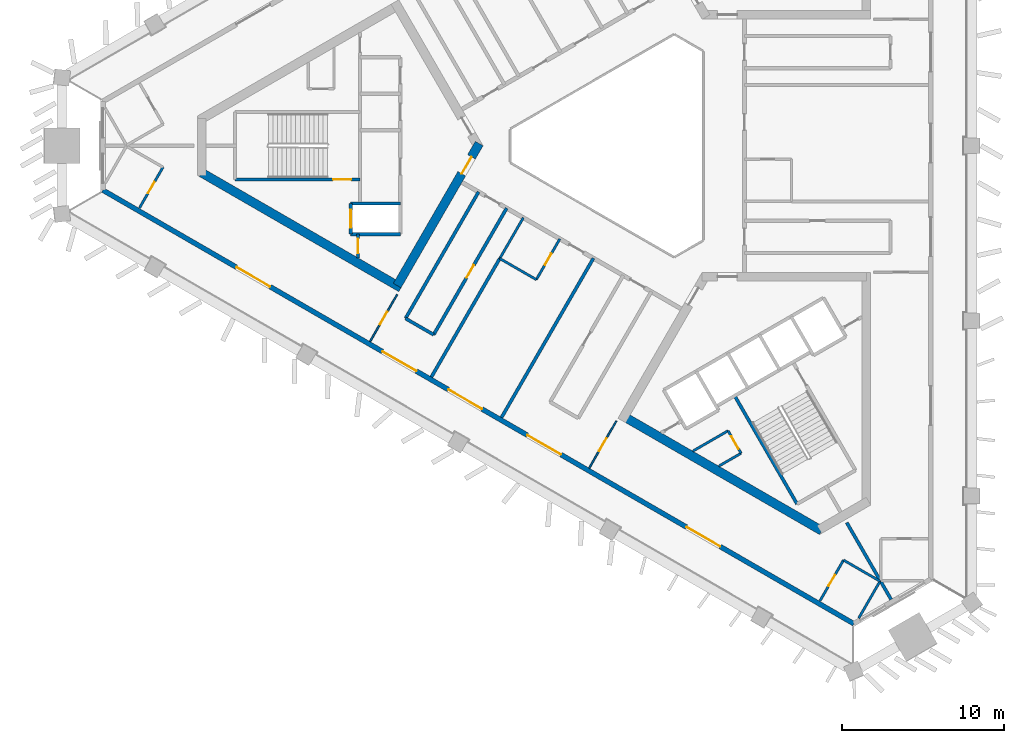
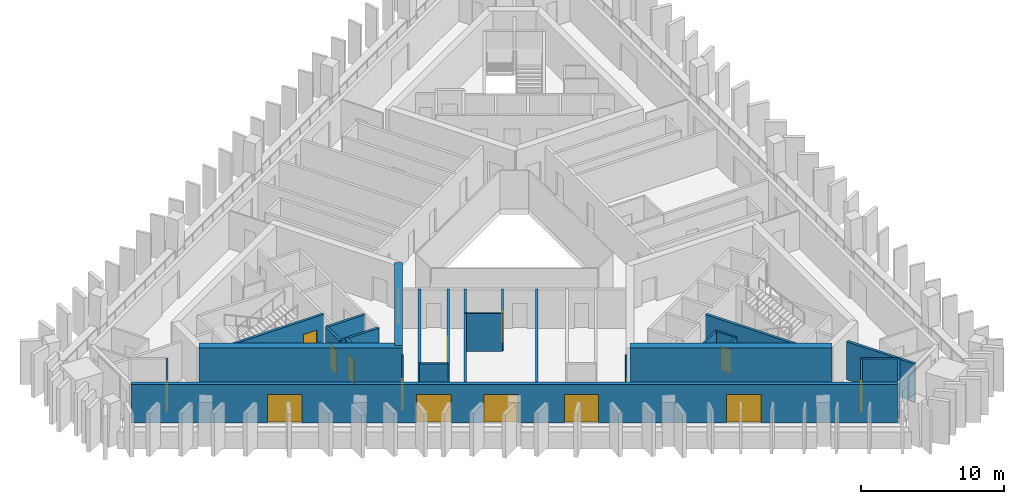
# One storey, part 2 of 10: 28 walls, 16 doors, 16 openings.
"""IFC4 building model written with IfcOpenShell, lengths in metres."""

from ifc_helpers import new_model, si_unit, direction, frame, frame_2d, origin, place, context, subcontext, project, spatial, rectangle, extrude, material, layer, layer_set, type_object, element, fill, save


model = new_model("IFC4")

# Units and contexts
model_context = context("Model", 3, precision=1e-05, world=origin(), true_north=direction((0.0, 1.0)))
body_context = subcontext(model_context, "Body", "Model", "MODEL_VIEW")
ifc_project = project(units=[si_unit("LENGTHUNIT", "METRE"), si_unit("AREAUNIT", "SQUARE_METRE"), si_unit("VOLUMEUNIT", "CUBIC_METRE"), si_unit("PLANEANGLEUNIT", "RADIAN"), si_unit("MASSUNIT", "GRAM", prefix="KILO")], contexts=[model_context])

# Site, building, storey
site_placement = place(None, origin())
site = spatial("IfcSite", under=ifc_project, at=site_placement, CompositionType="ELEMENT")
building_placement = place(site_placement, origin())
building = spatial("IfcBuilding", under=site, at=building_placement, Name="Jabali Bay Hotel Tower and Convention Centre", CompositionType="ELEMENT")
storey_placement = place(building_placement, frame((0.0, 0.0, 174.800048828125)))
storey = spatial("IfcBuildingStorey", under=building, at=storey_placement, Name="L42", CompositionType="ELEMENT", Elevation=174.800048828125)

# Wall, opening, door
ifc_material_1 = material(Name="Concrete C40", Category="concrete")
ifc_layer_1 = layer(ifc_material_1, 0.199951171875)
ifc_layer_set_1 = layer_set([ifc_layer_1], Name="Concrete C40")
wall_type_1 = type_object("IfcWallType", Name="Core partition wall 200", PredefinedType="PARTITIONING", material=ifc_layer_set_1)
wall_1_placement = place(storey_placement, frame((58.300048828125, 74.550048828125, 0.0), z_axis=(0.0, 0.0, 1.0), x_axis=(0.0, -1.0, 0.0)))
wall_1 = element("IfcWall", 1, at=wall_1_placement, inside=storey, type_object=wall_type_1, Name="Core wall 0.11 L42", PredefinedType="PARTITIONING", context=body_context, shape_type="SweptSolid", body=[
    extrude(rectangle(XDim=1.455078125, YDim=0.199951171875, at=frame_2d((0.7275390625, 0.0))), origin(), (0.0, 0.0, 1.0), 3.25),
])
opening_1_placement = place(wall_1_placement, frame((0.277587890625, 0.0, 0.0)))
opening_1 = element("IfcOpeningElement", 2, at=opening_1_placement, cuts=wall_1, Name="Opening D910", PredefinedType="OPENING", context=body_context, shape_type="SweptSolid", body=[
    extrude(rectangle(XDim=0.89990234375, YDim=2.10009765625, at=frame_2d((0.449951171875, 1.050048828125))), frame((0.0, 0.1103515625, 0.0), z_axis=(0.0, -1.0, 0.0), x_axis=(1.0, 0.0, 0.0)), (0.0, 0.0, 1.0), 0.220947265625),
])
ifc_material_2 = material(Name="Fire-rated steel door", Category="steel")
door_type_1 = type_object("IfcDoorType", Name="Vestibule fire door 900 x 2100", OperationType="NOTDEFINED", PredefinedType="NOTDEFINED", material=ifc_material_2)
door_1_placement = place(opening_1_placement, origin())
door_1 = element("IfcDoor", 3, at=door_1_placement, inside=storey, type_object=door_type_1, Name="Vestibule fire door D910", OperationType="SINGLE_SWING_LEFT", OverallHeight=2.10009765625, OverallWidth=0.89990234375, PredefinedType="NOTDEFINED", context=body_context, shape_type="SweptSolid", body=[
    extrude(rectangle(XDim=0.89990234375, YDim=2.10009765625, at=frame_2d((0.449951171875, 1.050048828125))), frame((0.0, 0.02490234375, 0.0), z_axis=(0.0, -1.0, 0.0), x_axis=(1.0, 0.0, 0.0)), (0.0, 0.0, 1.0), 0.050048828125),
])
fill(opening_1, door_1)

ifc_material_3 = material(Name="Fire-rated board partition")
ifc_layer_2 = layer(ifc_material_3, 0.14990234375)
ifc_layer_set_2 = layer_set([ifc_layer_2], Name="Fire-rated board partition")
wall_type_2 = type_object("IfcWallType", Name="Core room partition 150", PredefinedType="PARTITIONING", material=ifc_layer_set_2)
wall_2_placement = place(storey_placement, frame((81.093994140625, 62.445068359375, 0.0), z_axis=(0.0, 0.0, 1.0), x_axis=(0.499880961361, -0.866094119867, 0.0)))
wall_2 = element("IfcWall", 4, at=wall_2_placement, inside=storey, type_object=wall_type_2, Name="Core wall 2.1 L42", PredefinedType="PARTITIONING", context=body_context, shape_type="SweptSolid", body=[
    extrude(rectangle(XDim=1.60009765625, YDim=0.14990234375, at=frame_2d((0.800048828125, 0.0))), origin(), (0.0, 0.0, 1.0), 3.25),
])
opening_2_placement = place(wall_2_placement, frame((0.387451171875, 0.0, 0.0)))
opening_2 = element("IfcOpeningElement", 5, at=opening_2_placement, cuts=wall_2, Name="Opening D925", PredefinedType="OPENING", context=body_context, shape_type="SweptSolid", body=[
    extrude(rectangle(XDim=0.89990234375, YDim=2.10009765625, at=frame_2d((0.449951171875, 1.050048828125))), frame((0.0, 0.08544921875, 0.0), z_axis=(0.0, -1.0, 0.0), x_axis=(1.0, 0.0, 0.0)), (0.0, 0.0, 1.0), 0.1708984375),
])
door_type_2 = type_object("IfcDoorType", Name="Core room door 900 x 2100", OperationType="NOTDEFINED", PredefinedType="NOTDEFINED", material=ifc_material_2)
door_2_placement = place(opening_2_placement, origin())
door_2 = element("IfcDoor", 6, at=door_2_placement, inside=storey, type_object=door_type_2, Name="Core room door D925", OperationType="SINGLE_SWING_LEFT", OverallHeight=2.10009765625, OverallWidth=0.89990234375, PredefinedType="NOTDEFINED", context=body_context, shape_type="SweptSolid", body=[
    extrude(rectangle(XDim=0.89990234375, YDim=2.10009765625, at=frame_2d((0.449951171875, 1.050048828125))), frame((0.0, 0.02490234375, 0.0), z_axis=(0.0, -1.0, 0.0), x_axis=(1.0, 0.0, 0.0)), (0.0, 0.0, 1.0), 0.050048828125),
])
fill(opening_2, door_2)

# Walls
wall_3_placement = place(storey_placement, frame((78.919921875, 61.18994140625, 0.0), z_axis=(0.0, 0.0, 1.0), x_axis=(0.866038211682, 0.499977815414, 0.0)))
element("IfcWall", 7, at=wall_3_placement, inside=storey, type_object=wall_type_2, Name="Core wall 2.16 L42", PredefinedType="PARTITIONING", context=body_context, shape_type="SweptSolid", body=[
    extrude(rectangle(XDim=2.51025390625, YDim=0.14990234375, at=frame_2d((1.255126953125, 0.0))), origin(), (0.0, 0.0, 1.0), 3.25),
])
wall_4_placement = place(storey_placement, frame((80.52001953125, 60.26611328125, 0.0), z_axis=(0.0, 0.0, 1.0), x_axis=(0.866008740531, 0.500028860491, 0.0)))
element("IfcWall", 8, at=wall_4_placement, inside=storey, type_object=wall_type_2, Name="Core wall 2.17 L42", PredefinedType="PARTITIONING", context=body_context, shape_type="SweptSolid", body=[
    extrude(rectangle(XDim=1.58642578125, YDim=0.14990234375, at=frame_2d((0.793212890625, 0.0))), origin(), (0.0, 0.0, 1.0), 3.25),
])

# Wall, opening, door
ifc_layer_3 = layer(ifc_material_1, 0.199951171875)
ifc_layer_set_3 = layer_set([ifc_layer_3], Name="Concrete C40")
wall_type_3 = type_object("IfcWallType", Name="Core stair wall 200", PredefinedType="SOLIDWALL", material=ifc_layer_set_3)
wall_5_placement = place(storey_placement, frame((58.419921875, 77.925048828125, 0.0), z_axis=(0.0, 0.0, 1.0), x_axis=(-1.0, 0.0, 0.0)))
wall_5 = element("IfcWall", 9, at=wall_5_placement, inside=storey, type_object=wall_type_3, Name="Core wall 0.6 L42", PredefinedType="SOLIDWALL", context=body_context, shape_type="SweptSolid", body=[
    extrude(rectangle(XDim=7.699951171875, YDim=0.199951171875, at=frame_2d((3.85009765625, 0.0))), origin(), (0.0, 0.0, 1.0), 3.25),
])
opening_3_placement = place(wall_5_placement, frame((0.550048828125, 0.0, 0.0)))
opening_3 = element("IfcOpeningElement", 10, at=opening_3_placement, cuts=wall_5, Name="Opening D912", PredefinedType="OPENING", context=body_context, shape_type="SweptSolid", body=[
    extrude(rectangle(XDim=1.10009765625, YDim=2.10009765625, at=frame_2d((0.550048828125, 1.050048828125))), frame((0.0, 0.1103515625, 0.0), z_axis=(0.0, -1.0, 0.0), x_axis=(1.0, 0.0, 0.0)), (0.0, 0.0, 1.0), 0.220947265625),
])
door_type_3 = type_object("IfcDoorType", Name="Stair fire door 1100 x 2100", OperationType="NOTDEFINED", PredefinedType="NOTDEFINED", material=ifc_material_2)
door_3_placement = place(opening_3_placement, origin())
door_3 = element("IfcDoor", 11, at=door_3_placement, inside=storey, type_object=door_type_3, Name="Stair fire door D912", OperationType="SINGLE_SWING_RIGHT", OverallHeight=2.10009765625, OverallWidth=1.10009765625, PredefinedType="NOTDEFINED", context=body_context, shape_type="SweptSolid", body=[
    extrude(rectangle(XDim=1.10009765625, YDim=2.10009765625, at=frame_2d((0.550048828125, 1.050048828125))), frame((0.0, 0.02490234375, 0.0), z_axis=(0.0, -1.0, 0.0), x_axis=(1.0, 0.0, 0.0)), (0.0, 0.0, 1.0), 0.050048828125),
])
fill(opening_3, door_3)

# Walls
for number, where, z_axis, x_axis, name in (
    (12, (60.89990234375, 76.449951171875, 0.0), (0.0, 0.0, 1.0), (-1.0, 0.0, 0.0), "Core wall 0.7 L42"),
    (13, (60.89990234375, 74.550048828125, 0.0), (0.0, 0.0, 1.0), (-1.0, 0.0, 0.0), "Core wall 0.8 L42"),
):
    element("IfcWall", number, at=place(storey_placement, frame(where, z_axis=z_axis, x_axis=x_axis)), inside=storey, type_object=wall_type_3, Name=name, PredefinedType="SOLIDWALL", context=body_context, shape_type="SweptSolid", body=[
        extrude(rectangle(XDim=3.0498046875, YDim=0.199951171875, at=frame_2d((1.52490234375, 0.0))), origin(), (0.0, 0.0, 1.0), 3.25),
    ])

# Wall, opening, door
wall_6_placement = place(storey_placement, frame((57.85009765625, 76.449951171875, 0.0), z_axis=(0.0, 0.0, 1.0), x_axis=(0.0, -1.0, 0.0)))
wall_6 = element("IfcWall", 14, at=wall_6_placement, inside=storey, type_object=wall_type_3, Name="Core wall 0.12 L42", PredefinedType="SOLIDWALL", context=body_context, shape_type="SweptSolid", body=[
    extrude(rectangle(XDim=1.89990234375, YDim=0.199951171875, at=frame_2d((0.949951171875, 0.0))), origin(), (0.0, 0.0, 1.0), 3.25),
])
opening_4_placement = place(wall_6_placement, frame((0.39990234375, 0.0, 0.0)))
opening_4 = element("IfcOpeningElement", 15, at=opening_4_placement, cuts=wall_6, Name="Opening LD5-L42", PredefinedType="OPENING", context=body_context, shape_type="SweptSolid", body=[
    extrude(rectangle(XDim=1.10009765625, YDim=2.10009765625, at=frame_2d((0.550048828125, 1.050048828125))), frame((0.0, 0.1103515625, 0.0), z_axis=(0.0, -1.0, 0.0), x_axis=(1.0, 0.0, 0.0)), (0.0, 0.0, 1.0), 0.220947265625),
])
ifc_material_4 = material(Name="Stainless steel landing door", Category="steel")
door_type_4 = type_object("IfcDoorType", Name="Landing door 1100 x 2100", OperationType="NOTDEFINED", PredefinedType="NOTDEFINED", material=ifc_material_4)
door_4_placement = place(opening_4_placement, origin())
door_4 = element("IfcDoor", 16, at=door_4_placement, inside=storey, type_object=door_type_4, Name="Landing doors LD5-L42", OperationType="SLIDING_TO_RIGHT", OverallHeight=2.10009765625, OverallWidth=1.10009765625, PredefinedType="NOTDEFINED", context=body_context, shape_type="SweptSolid", body=[
    extrude(rectangle(XDim=1.10009765625, YDim=2.10009765625, at=frame_2d((0.550048828125, 1.050048828125))), frame((0.0, 0.02490234375, 0.0), z_axis=(0.0, -1.0, 0.0), x_axis=(1.0, 0.0, 0.0)), (0.0, 0.0, 1.0), 0.050048828125),
])
fill(opening_4, door_4)

# Walls
wall_7_placement = place(storey_placement, frame((81.492919921875, 64.603759765625, 0.0), z_axis=(0.0, 0.0, 1.0), x_axis=(0.500006057782, -0.866021906294, 0.0)))
element("IfcWall", 17, at=wall_7_placement, inside=storey, type_object=wall_type_3, Name="Core wall 2.3 L42", PredefinedType="SOLIDWALL", context=body_context, shape_type="SweptSolid", body=[
    extrude(rectangle(XDim=7.7001953125, YDim=0.199951171875, at=frame_2d((3.85009765625, 0.0))), origin(), (0.0, 0.0, 1.0), 3.25),
])
ifc_material_5 = material(Name="Concrete C60", Category="concrete")
ifc_layer_4 = layer(ifc_material_5, 0.550048828125)
ifc_layer_set_4 = layer_set([ifc_layer_4], Name="Concrete C60")
wall_type_4 = type_object("IfcWallType", Name="Core wall 550", PredefinedType="SHEAR", material=ifc_layer_set_4)
wall_8_placement = place(storey_placement, frame((48.671875, 78.336181640625, 0.0), z_axis=(0.0, 0.0, 1.0), x_axis=(0.866023530946, -0.500003243837, 0.0)))
element("IfcWall", 18, at=wall_8_placement, inside=storey, type_object=wall_type_4, Name="Core wall 1.4 L42", PredefinedType="SHEAR", context=body_context, shape_type="SweptSolid", body=[
    extrude(rectangle(XDim=14.1748046875, YDim=0.550048828125, at=frame_2d((7.08740234375, 0.0))), origin(), (0.0, 0.0, 1.0), 3.699951171875),
])

# Wall, opening, door
wall_9_placement = place(storey_placement, frame((60.709228515625, 71.38623046875, 0.0), z_axis=(0.0, 0.0, 1.0), x_axis=(0.500015938302, 0.866016201606, 0.0)))
wall_9 = element("IfcWall", 19, at=wall_9_placement, inside=storey, type_object=wall_type_4, Name="Core wall 1.5 L42", PredefinedType="SHEAR", context=body_context, shape_type="SweptSolid", body=[
    extrude(rectangle(XDim=10.105224609375, YDim=0.550048828125, at=frame_2d((5.052734375, 0.0))), origin(), (0.0, 0.0, 1.0), 3.699951171875),
])
opening_5_placement = place(wall_9_placement, frame((7.955078125, 0.0, 0.0)))
opening_5 = element("IfcOpeningElement", 20, at=opening_5_placement, cuts=wall_9, Name="Opening D906", PredefinedType="OPENING", context=body_context, shape_type="SweptSolid", body=[
    extrude(rectangle(XDim=1.199951171875, YDim=2.10009765625, at=frame_2d((0.60009765625, 1.050048828125))), frame((0.0, 0.28564453125, 0.0), z_axis=(0.0, -1.0, 0.0), x_axis=(1.0, 0.0, 0.0)), (0.0, 0.0, 1.0), 0.571044921875),
])
door_type_5 = type_object("IfcDoorType", Name="Corridor end fire door 1200 x 2100", OperationType="NOTDEFINED", PredefinedType="NOTDEFINED", material=ifc_material_2)
door_5_placement = place(opening_5_placement, origin())
door_5 = element("IfcDoor", 21, at=door_5_placement, inside=storey, type_object=door_type_5, Name="Corridor end fire door D906", OperationType="SINGLE_SWING_LEFT", OverallHeight=2.10009765625, OverallWidth=1.199951171875, PredefinedType="NOTDEFINED", context=body_context, shape_type="SweptSolid", body=[
    extrude(rectangle(XDim=1.199951171875, YDim=2.10009765625, at=frame_2d((0.60009765625, 1.050048828125))), frame((0.0, 0.02490234375, 0.0), z_axis=(0.0, -1.0, 0.0), x_axis=(1.0, 0.0, 0.0)), (0.0, 0.0, 1.0), 0.050048828125),
])
fill(opening_5, door_5)

# Wall
wall_10_placement = place(storey_placement, frame((74.685546875, 63.317138671875, 0.0), z_axis=(0.0, 0.0, 1.0), x_axis=(0.866024505738, -0.500001555459, 0.0)))
element("IfcWall", 22, at=wall_10_placement, inside=storey, type_object=wall_type_4, Name="Core wall 3.2 L42", PredefinedType="SHEAR", context=body_context, shape_type="SweptSolid", body=[
    extrude(rectangle(XDim=14.05859375, YDim=0.550048828125, at=frame_2d((7.029296875, 0.0))), origin(), (0.0, 0.0, 1.0), 3.699951171875),
])

# Wall, openings, doors
ifc_layer_5 = layer(ifc_material_1, 0.300048828125)
ifc_layer_set_5 = layer_set([ifc_layer_5], Name="Concrete C40")
wall_type_5 = type_object("IfcWallType", Name="External wall 300", PredefinedType="SOLIDWALL", material=ifc_layer_set_5)
wall_11_placement = place(storey_placement, frame((88.843505859375, 50.55712890625, 0.0), z_axis=(0.0, 0.0, 1.0), x_axis=(-0.866025382531, 0.500000036812, 0.0)))
wall_11 = element("IfcWall", 23, at=wall_11_placement, inside=storey, type_object=wall_type_5, Name="External wall south-west face L42", PredefinedType="SOLIDWALL", context=body_context, shape_type="SweptSolid", body=[
    extrude(rectangle(XDim=53.42041015625, YDim=0.300048828125, at=frame_2d((26.710205078125, 0.0))), origin(), (0.0, 0.0, 1.0), 3.25),
])
opening_6_placement = place(wall_11_placement, frame((31.1220703125, 0.0, 0.0)))
opening_6 = element("IfcOpeningElement", 24, at=opening_6_placement, cuts=wall_11, Name="Opening SD1", PredefinedType="OPENING", context=body_context, shape_type="SweptSolid", body=[
    extrude(rectangle(XDim=2.39990234375, YDim=2.39990234375, at=frame_2d((1.199951171875, 1.199951171875))), frame((0.0, 0.16064453125, 0.0), z_axis=(0.0, -1.0, 0.0), x_axis=(1.0, 0.0, 0.0)), (0.0, 0.0, 1.0), 0.321044921875),
])
opening_7_placement = place(wall_11_placement, frame((41.51953125, 0.0, 0.0)))
opening_7 = element("IfcOpeningElement", 25, at=opening_7_placement, cuts=wall_11, Name="Opening SD1", PredefinedType="OPENING", context=body_context, shape_type="SweptSolid", body=[
    extrude(rectangle(XDim=2.39990234375, YDim=2.39990234375, at=frame_2d((1.199951171875, 1.199951171875))), frame((0.0, 0.16064453125, 0.0), z_axis=(0.0, -1.0, 0.0), x_axis=(1.0, 0.0, 0.0)), (0.0, 0.0, 1.0), 0.321044921875),
])
opening_8_placement = place(wall_11_placement, frame((20.833740234375, 0.0, 0.0)))
opening_8 = element("IfcOpeningElement", 26, at=opening_8_placement, cuts=wall_11, Name="Opening SD1", PredefinedType="OPENING", context=body_context, shape_type="SweptSolid", body=[
    extrude(rectangle(XDim=2.39990234375, YDim=2.39990234375, at=frame_2d((1.199951171875, 1.199951171875))), frame((0.0, 0.16064453125, 0.0), z_axis=(0.0, -1.0, 0.0), x_axis=(1.0, 0.0, 0.0)), (0.0, 0.0, 1.0), 0.321044921875),
])
opening_9_placement = place(wall_11_placement, frame((9.507080078125, 0.0, 0.0)))
opening_9 = element("IfcOpeningElement", 27, at=opening_9_placement, cuts=wall_11, Name="Opening SD1", PredefinedType="OPENING", context=body_context, shape_type="SweptSolid", body=[
    extrude(rectangle(XDim=2.39990234375, YDim=2.39990234375, at=frame_2d((1.199951171875, 1.199951171875))), frame((0.0, 0.16064453125, 0.0), z_axis=(0.0, -1.0, 0.0), x_axis=(1.0, 0.0, 0.0)), (0.0, 0.0, 1.0), 0.321044921875),
])
opening_10_placement = place(wall_11_placement, frame((26.445556640625, 0.0, 0.0)))
opening_10 = element("IfcOpeningElement", 28, at=opening_10_placement, cuts=wall_11, Name="Opening SD1", PredefinedType="OPENING", context=body_context, shape_type="SweptSolid", body=[
    extrude(rectangle(XDim=2.39990234375, YDim=2.39990234375, at=frame_2d((1.199951171875, 1.199951171875))), frame((0.0, 0.16064453125, 0.0), z_axis=(0.0, -1.0, 0.0), x_axis=(1.0, 0.0, 0.0)), (0.0, 0.0, 1.0), 0.321044921875),
])
ifc_material_6 = material(Name="Glass", Category="glass")
door_type_6 = type_object("IfcDoorType", Name="Loggia sliding door 2400 x 2400", OperationType="NOTDEFINED", PredefinedType="NOTDEFINED", material=ifc_material_6)
door_6_placement = place(opening_6_placement, origin())
door_6 = element("IfcDoor", 29, at=door_6_placement, inside=storey, type_object=door_type_6, Name="Loggia sliding door 4212", OperationType="SLIDING_TO_LEFT", OverallHeight=2.39990234375, OverallWidth=2.39990234375, PredefinedType="NOTDEFINED", context=body_context, shape_type="SweptSolid", body=[
    extrude(rectangle(XDim=2.39990234375, YDim=2.39990234375, at=frame_2d((1.199951171875, 1.199951171875))), frame((0.0, 0.02490234375, 0.0), z_axis=(0.0, -1.0, 0.0), x_axis=(1.0, 0.0, 0.0)), (0.0, 0.0, 1.0), 0.050048828125),
])
fill(opening_6, door_6)
door_7_placement = place(opening_7_placement, origin())
door_7 = element("IfcDoor", 30, at=door_7_placement, inside=storey, type_object=door_type_6, Name="Loggia sliding door 4212", OperationType="SLIDING_TO_RIGHT", OverallHeight=2.39990234375, OverallWidth=2.39990234375, PredefinedType="NOTDEFINED", context=body_context, shape_type="SweptSolid", body=[
    extrude(rectangle(XDim=2.39990234375, YDim=2.39990234375, at=frame_2d((1.199951171875, 1.199951171875))), frame((0.0, 0.02490234375, 0.0), z_axis=(0.0, -1.0, 0.0), x_axis=(1.0, 0.0, 0.0)), (0.0, 0.0, 1.0), 0.050048828125),
])
fill(opening_7, door_7)
door_8_placement = place(opening_8_placement, origin())
door_8 = element("IfcDoor", 31, at=door_8_placement, inside=storey, type_object=door_type_6, Name="Loggia sliding door 4215", OperationType="SLIDING_TO_LEFT", OverallHeight=2.39990234375, OverallWidth=2.39990234375, PredefinedType="NOTDEFINED", context=body_context, shape_type="SweptSolid", body=[
    extrude(rectangle(XDim=2.39990234375, YDim=2.39990234375, at=frame_2d((1.199951171875, 1.199951171875))), frame((0.0, 0.02490234375, 0.0), z_axis=(0.0, -1.0, 0.0), x_axis=(1.0, 0.0, 0.0)), (0.0, 0.0, 1.0), 0.050048828125),
])
fill(opening_8, door_8)
door_9_placement = place(opening_9_placement, origin())
door_9 = element("IfcDoor", 32, at=door_9_placement, inside=storey, type_object=door_type_6, Name="Loggia sliding door 4215", OperationType="SLIDING_TO_RIGHT", OverallHeight=2.39990234375, OverallWidth=2.39990234375, PredefinedType="NOTDEFINED", context=body_context, shape_type="SweptSolid", body=[
    extrude(rectangle(XDim=2.39990234375, YDim=2.39990234375, at=frame_2d((1.199951171875, 1.199951171875))), frame((0.0, 0.02490234375, 0.0), z_axis=(0.0, -1.0, 0.0), x_axis=(1.0, 0.0, 0.0)), (0.0, 0.0, 1.0), 0.050048828125),
])
fill(opening_9, door_9)
door_10_placement = place(opening_10_placement, origin())
door_10 = element("IfcDoor", 33, at=door_10_placement, inside=storey, type_object=door_type_6, Name="Loggia sliding door 4214", OperationType="SLIDING_TO_LEFT", OverallHeight=2.39990234375, OverallWidth=2.39990234375, PredefinedType="NOTDEFINED", context=body_context, shape_type="SweptSolid", body=[
    extrude(rectangle(XDim=2.39990234375, YDim=2.39990234375, at=frame_2d((1.199951171875, 1.199951171875))), frame((0.0, 0.02490234375, 0.0), z_axis=(0.0, -1.0, 0.0), x_axis=(1.0, 0.0, 0.0)), (0.0, 0.0, 1.0), 0.050048828125),
])
fill(opening_10, door_10)

# Wall, opening, door
ifc_material_7 = material(Name="Plasterboard on steel stud", Category="steel")
ifc_layer_6 = layer(ifc_material_7, 0.10009765625)
ifc_layer_set_6 = layer_set([ifc_layer_6], Name="Plasterboard on steel stud")
wall_type_6 = type_object("IfcWallType", Name="Partition 100 unit", PredefinedType="PARTITIONING", material=ifc_layer_set_6)
wall_12_placement = place(storey_placement, frame((60.71044921875, 70.83837890625, 0.0), z_axis=(0.0, 0.0, 1.0), x_axis=(-0.499981198768, -0.866036258409, 0.0)))
wall_12 = element("IfcWall", 34, at=wall_12_placement, inside=storey, type_object=wall_type_6, Name="Partition P02 L42 040", PredefinedType="PARTITIONING", context=body_context, shape_type="SweptSolid", body=[
    extrude(rectangle(XDim=3.348876953125, YDim=0.10009765625, at=frame_2d((1.67431640625, 0.0))), origin(), (0.0, 0.0, 1.0), 3.25),
])
opening_11_placement = place(wall_12_placement, frame((1.22412109375, 0.0, 0.0)))
opening_11 = element("IfcOpeningElement", 35, at=opening_11_placement, cuts=wall_12, Name="Opening 4222", PredefinedType="OPENING", context=body_context, shape_type="SweptSolid", body=[
    extrude(rectangle(XDim=0.89990234375, YDim=2.10009765625, at=frame_2d((0.449951171875, 1.050048828125))), frame((0.0, 0.060546875, 0.0), z_axis=(0.0, -1.0, 0.0), x_axis=(1.0, 0.0, 0.0)), (0.0, 0.0, 1.0), 0.12109375),
])
ifc_material_8 = material(Name="Timber", Category="wood")
door_type_7 = type_object("IfcDoorType", Name="Internal door 900 x 2100", OperationType="NOTDEFINED", PredefinedType="NOTDEFINED", material=ifc_material_8)
door_11_placement = place(opening_11_placement, origin())
door_11 = element("IfcDoor", 36, at=door_11_placement, inside=storey, type_object=door_type_7, Name="Door 4222", OperationType="SINGLE_SWING_LEFT", OverallHeight=2.10009765625, OverallWidth=0.89990234375, PredefinedType="NOTDEFINED", context=body_context, shape_type="SweptSolid", body=[
    extrude(rectangle(XDim=0.89990234375, YDim=2.10009765625, at=frame_2d((0.449951171875, 1.050048828125))), frame((0.0, 0.02490234375, 0.0), z_axis=(0.0, -1.0, 0.0), x_axis=(1.0, 0.0, 0.0)), (0.0, 0.0, 1.0), 0.050048828125),
])
fill(opening_11, door_11)

wall_13_placement = place(storey_placement, frame((72.5361328125, 60.14404296875, 0.0), z_axis=(0.0, 0.0, 1.0), x_axis=(0.499981198768, 0.866036258409, 0.0)))
wall_13 = element("IfcWall", 37, at=wall_13_placement, inside=storey, type_object=wall_type_6, Name="Partition P02 L42 052", PredefinedType="PARTITIONING", context=body_context, shape_type="SweptSolid", body=[
    extrude(rectangle(XDim=3.348876953125, YDim=0.10009765625, at=frame_2d((1.67431640625, 0.0))), origin(), (0.0, 0.0, 1.0), 3.25),
])
opening_12_placement = place(wall_13_placement, frame((1.22412109375, 0.0, 0.0)))
opening_12 = element("IfcOpeningElement", 38, at=opening_12_placement, cuts=wall_13, Name="Opening 4228", PredefinedType="OPENING", context=body_context, shape_type="SweptSolid", body=[
    extrude(rectangle(XDim=0.89990234375, YDim=2.10009765625, at=frame_2d((0.449951171875, 1.050048828125))), frame((0.0, 0.060546875, 0.0), z_axis=(0.0, -1.0, 0.0), x_axis=(1.0, 0.0, 0.0)), (0.0, 0.0, 1.0), 0.12109375),
])
door_12_placement = place(opening_12_placement, origin())
door_12 = element("IfcDoor", 39, at=door_12_placement, inside=storey, type_object=door_type_7, Name="Door 4228", OperationType="SINGLE_SWING_LEFT", OverallHeight=2.10009765625, OverallWidth=0.89990234375, PredefinedType="NOTDEFINED", context=body_context, shape_type="SweptSolid", body=[
    extrude(rectangle(XDim=0.89990234375, YDim=2.10009765625, at=frame_2d((0.449951171875, 1.050048828125))), frame((0.0, 0.02490234375, 0.0), z_axis=(0.0, -1.0, 0.0), x_axis=(1.0, 0.0, 0.0)), (0.0, 0.0, 1.0), 0.050048828125),
])
fill(opening_12, door_12)

# Wall
ifc_layer_7 = layer(ifc_material_7, 0.14990234375)
ifc_layer_set_7 = layer_set([ifc_layer_7], Name="Plasterboard on steel stud")
wall_type_7 = type_object("IfcWallType", Name="Partition 150 wet", PredefinedType="PARTITIONING", material=ifc_layer_set_7)
wall_14_placement = place(storey_placement, frame((67.030029296875, 73.054443359375, 0.0), z_axis=(0.0, 0.0, 1.0), x_axis=(0.499987231761, 0.866032775405, 0.0)))
element("IfcWall", 40, at=wall_14_placement, inside=storey, type_object=wall_type_7, Name="Partition P03 L42 045", PredefinedType="PARTITIONING", context=body_context, shape_type="SweptSolid", body=[
    extrude(rectangle(XDim=2.89990234375, YDim=0.14990234375, at=frame_2d((1.449951171875, 0.0))), origin(), (0.0, 0.0, 1.0), 3.25),
])

# Wall, opening, door
wall_15_placement = place(storey_placement, frame((46.285888671875, 78.678466796875, 0.0), z_axis=(0.0, 0.0, 1.0), x_axis=(-0.50005036918, -0.865996321171, 0.0)))
wall_15 = element("IfcWall", 41, at=wall_15_placement, inside=storey, type_object=wall_type_7, Name="Partition P03 L42 048", PredefinedType="PARTITIONING", context=body_context, shape_type="SweptSolid", body=[
    extrude(rectangle(XDim=2.900146484375, YDim=0.14990234375, at=frame_2d((1.4501953125, 0.0))), origin(), (0.0, 0.0, 1.0), 3.25),
])
opening_13_placement = place(wall_15_placement, frame((1.050048828125, 0.0, 0.0)))
opening_13 = element("IfcOpeningElement", 42, at=opening_13_placement, cuts=wall_15, Name="Opening 4223", PredefinedType="OPENING", context=body_context, shape_type="SweptSolid", body=[
    extrude(rectangle(XDim=0.800048828125, YDim=2.10009765625, at=frame_2d((0.39990234375, 1.050048828125))), frame((0.0, 0.08544921875, 0.0), z_axis=(0.0, -1.0, 0.0), x_axis=(1.0, 0.0, 0.0)), (0.0, 0.0, 1.0), 0.1708984375),
])
door_type_8 = type_object("IfcDoorType", Name="En-suite door 800 x 2100", OperationType="NOTDEFINED", PredefinedType="NOTDEFINED", material=ifc_material_8)
door_13_placement = place(opening_13_placement, origin())
door_13 = element("IfcDoor", 43, at=door_13_placement, inside=storey, type_object=door_type_8, Name="Door 4223", OperationType="SINGLE_SWING_RIGHT", OverallHeight=2.10009765625, OverallWidth=0.800048828125, PredefinedType="NOTDEFINED", context=body_context, shape_type="SweptSolid", body=[
    extrude(rectangle(XDim=0.800048828125, YDim=2.10009765625, at=frame_2d((0.39990234375, 1.050048828125))), frame((0.0, 0.02490234375, 0.0), z_axis=(0.0, -1.0, 0.0), x_axis=(1.0, 0.0, 0.0)), (0.0, 0.0, 1.0), 0.050048828125),
])
fill(opening_13, door_13)

wall_16_placement = place(storey_placement, frame((70.731689453125, 74.265869140625, 0.0), z_axis=(0.0, 0.0, 1.0), x_axis=(-0.499987231761, -0.866032775405, 0.0)))
wall_16 = element("IfcWall", 44, at=wall_16_placement, inside=storey, type_object=wall_type_7, Name="Partition P03 L42 049", PredefinedType="PARTITIONING", context=body_context, shape_type="SweptSolid", body=[
    extrude(rectangle(XDim=2.89990234375, YDim=0.14990234375, at=frame_2d((1.449951171875, 0.0))), origin(), (0.0, 0.0, 1.0), 3.25),
])
opening_14_placement = place(wall_16_placement, frame((1.050048828125, 0.0, 0.0)))
opening_14 = element("IfcOpeningElement", 45, at=opening_14_placement, cuts=wall_16, Name="Opening 4225", PredefinedType="OPENING", context=body_context, shape_type="SweptSolid", body=[
    extrude(rectangle(XDim=0.800048828125, YDim=2.10009765625, at=frame_2d((0.39990234375, 1.050048828125))), frame((0.0, 0.08544921875, 0.0), z_axis=(0.0, -1.0, 0.0), x_axis=(1.0, 0.0, 0.0)), (0.0, 0.0, 1.0), 0.1708984375),
])
door_14_placement = place(opening_14_placement, origin())
door_14 = element("IfcDoor", 46, at=door_14_placement, inside=storey, type_object=door_type_8, Name="Door 4225", OperationType="SINGLE_SWING_LEFT", OverallHeight=2.10009765625, OverallWidth=0.800048828125, PredefinedType="NOTDEFINED", context=body_context, shape_type="SweptSolid", body=[
    extrude(rectangle(XDim=0.800048828125, YDim=2.10009765625, at=frame_2d((0.39990234375, 1.050048828125))), frame((0.0, 0.02490234375, 0.0), z_axis=(0.0, -1.0, 0.0), x_axis=(1.0, 0.0, 0.0)), (0.0, 0.0, 1.0), 0.050048828125),
])
fill(opening_14, door_14)

# Wall
wall_17_placement = place(storey_placement, frame((69.28173828125, 71.75439453125, 0.0), z_axis=(0.0, 0.0, 1.0), x_axis=(-0.866021400173, 0.500006934395, 0.0)))
element("IfcWall", 47, at=wall_17_placement, inside=storey, type_object=wall_type_7, Name="Partition P03 L42 050", PredefinedType="PARTITIONING", context=body_context, shape_type="SweptSolid", body=[
    extrude(rectangle(XDim=2.60009765625, YDim=0.14990234375, at=frame_2d((1.300048828125, 0.0))), origin(), (0.0, 0.0, 1.0), 3.25),
])

# Wall, opening, door
wall_18_placement = place(storey_placement, frame((86.751953125, 51.966796875, 0.0), z_axis=(0.0, 0.0, 1.0), x_axis=(0.50005036918, 0.865996321171, 0.0)))
wall_18 = element("IfcWall", 48, at=wall_18_placement, inside=storey, type_object=wall_type_7, Name="Partition P03 L42 056", PredefinedType="PARTITIONING", context=body_context, shape_type="SweptSolid", body=[
    extrude(rectangle(XDim=2.900146484375, YDim=0.14990234375, at=frame_2d((1.4501953125, 0.0))), origin(), (0.0, 0.0, 1.0), 3.25),
])
opening_15_placement = place(wall_18_placement, frame((1.050048828125, 0.0, 0.0)))
opening_15 = element("IfcOpeningElement", 49, at=opening_15_placement, cuts=wall_18, Name="Opening 4229", PredefinedType="OPENING", context=body_context, shape_type="SweptSolid", body=[
    extrude(rectangle(XDim=0.800048828125, YDim=2.10009765625, at=frame_2d((0.39990234375, 1.050048828125))), frame((0.0, 0.08544921875, 0.0), z_axis=(0.0, -1.0, 0.0), x_axis=(1.0, 0.0, 0.0)), (0.0, 0.0, 1.0), 0.1708984375),
])
door_15_placement = place(opening_15_placement, origin())
door_15 = element("IfcDoor", 50, at=door_15_placement, inside=storey, type_object=door_type_8, Name="Door 4229", OperationType="SINGLE_SWING_RIGHT", OverallHeight=2.10009765625, OverallWidth=0.800048828125, PredefinedType="NOTDEFINED", context=body_context, shape_type="SweptSolid", body=[
    extrude(rectangle(XDim=0.800048828125, YDim=2.10009765625, at=frame_2d((0.39990234375, 1.050048828125))), frame((0.0, 0.02490234375, 0.0), z_axis=(0.0, -1.0, 0.0), x_axis=(1.0, 0.0, 0.0)), (0.0, 0.0, 1.0), 0.050048828125),
])
fill(opening_15, door_15)

# Walls
wall_19_placement = place(storey_placement, frame((88.2021484375, 54.478271484375, 0.0), z_axis=(0.0, 0.0, 1.0), x_axis=(0.865997922154, -0.500047596559, 0.0)))
element("IfcWall", 51, at=wall_19_placement, inside=storey, type_object=wall_type_7, Name="Partition P03 L42 057", PredefinedType="PARTITIONING", context=body_context, shape_type="SweptSolid", body=[
    extrude(rectangle(XDim=2.599853515625, YDim=0.14990234375, at=frame_2d((1.2998046875, 0.0))), origin(), (0.0, 0.0, 1.0), 3.25),
])
wall_20_placement = place(storey_placement, frame((90.45361328125, 53.17822265625, 0.0), z_axis=(0.0, 0.0, 1.0), x_axis=(-0.499960702874, -0.866048090802, 0.0)))
element("IfcWall", 52, at=wall_20_placement, inside=storey, type_object=wall_type_7, Name="Partition P03 L42 058", PredefinedType="PARTITIONING", context=body_context, shape_type="SweptSolid", body=[
    extrude(rectangle(XDim=2.631591796875, YDim=0.14990234375, at=frame_2d((1.31591796875, 0.0))), origin(), (0.0, 0.0, 1.0), 3.25),
])
ifc_layer_8 = layer(ifc_material_7, 0.199951171875)
ifc_layer_set_8 = layer_set([ifc_layer_8], Name="Plasterboard on steel stud")
wall_type_8 = type_object("IfcWallType", Name="Partition 200 party", PredefinedType="PARTITIONING", material=ifc_layer_set_8)
wall_21_placement = place(storey_placement, frame((88.401123046875, 56.788818359375, 0.0), z_axis=(0.0, 0.0, 1.0), x_axis=(0.499980071345, -0.866036909293, 0.0)))
element("IfcWall", 53, at=wall_21_placement, inside=storey, type_object=wall_type_8, Name="Partition P01 L42 010", PredefinedType="PARTITIONING", context=body_context, shape_type="SweptSolid", body=[
    extrude(rectangle(XDim=5.468994140625, YDim=0.199951171875, at=frame_2d((2.734375, 0.0))), origin(), (0.0, 0.0, 1.0), 3.25),
])

# Wall, opening, door
wall_22_placement = place(storey_placement, frame((67.4560546875, 76.1572265625, 0.0), z_axis=(0.0, 0.0, 1.0), x_axis=(-0.499990139034, -0.866031096941, 0.0)))
wall_22 = element("IfcWall", 54, at=wall_22_placement, inside=storey, type_object=wall_type_8, Name="Partition P01 L42 041", PredefinedType="PARTITIONING", context=body_context, shape_type="SweptSolid", body=[
    extrude(rectangle(XDim=9.000244140625, YDim=0.199951171875, at=frame_2d((4.5, 0.0))), origin(), (0.0, 0.0, 1.0), 3.25),
])
opening_16_placement = place(wall_22_placement, frame((4.050048828125, 0.0, 0.0)))
opening_16 = element("IfcOpeningElement", 55, at=opening_16_placement, cuts=wall_22, Name="Opening 4224", PredefinedType="OPENING", context=body_context, shape_type="SweptSolid", body=[
    extrude(rectangle(XDim=0.89990234375, YDim=2.10009765625, at=frame_2d((0.449951171875, 1.050048828125))), frame((0.0, 0.1103515625, 0.0), z_axis=(0.0, -1.0, 0.0), x_axis=(1.0, 0.0, 0.0)), (0.0, 0.0, 1.0), 0.220947265625),
])
door_16_placement = place(opening_16_placement, origin())
door_16 = element("IfcDoor", 56, at=door_16_placement, inside=storey, type_object=door_type_7, Name="Door 4224", OperationType="SINGLE_SWING_LEFT", OverallHeight=2.10009765625, OverallWidth=0.89990234375, PredefinedType="NOTDEFINED", context=body_context, shape_type="SweptSolid", body=[
    extrude(rectangle(XDim=0.89990234375, YDim=2.10009765625, at=frame_2d((0.449951171875, 1.050048828125))), frame((0.0, 0.02490234375, 0.0), z_axis=(0.0, -1.0, 0.0), x_axis=(1.0, 0.0, 0.0)), (0.0, 0.0, 1.0), 0.050048828125),
])
fill(opening_16, door_16)

# Walls
wall_23_placement = place(storey_placement, frame((62.9560546875, 68.36279296875, 0.0), z_axis=(0.0, 0.0, 1.0), x_axis=(-0.866041268327, 0.499972520799, 0.0)))
element("IfcWall", 57, at=wall_23_placement, inside=storey, type_object=wall_type_8, Name="Partition P01 L42 042", PredefinedType="PARTITIONING", context=body_context, shape_type="SweptSolid", body=[
    extrude(rectangle(XDim=2.0, YDim=0.199951171875, at=frame_2d((1.0, 0.0))), origin(), (0.0, 0.0, 1.0), 3.25),
])
wall_24_placement = place(storey_placement, frame((61.223876953125, 69.36279296875, 0.0), z_axis=(0.0, 0.0, 1.0), x_axis=(0.499990139034, 0.866031096941, 0.0)))
element("IfcWall", 58, at=wall_24_placement, inside=storey, type_object=wall_type_8, Name="Partition P01 L42 043", PredefinedType="PARTITIONING", context=body_context, shape_type="SweptSolid", body=[
    extrude(rectangle(XDim=9.000244140625, YDim=0.199951171875, at=frame_2d((4.5, 0.0))), origin(), (0.0, 0.0, 1.0), 3.25),
])
wall_25_placement = place(storey_placement, frame((62.816162109375, 65.755859375, 0.0), z_axis=(0.0, 0.0, 1.0), x_axis=(0.500002470373, 0.866023977509, 0.0)))
element("IfcWall", 59, at=wall_25_placement, inside=storey, type_object=wall_type_8, Name="Partition P01 L42 044", PredefinedType="PARTITIONING", context=body_context, shape_type="SweptSolid", body=[
    extrude(rectangle(XDim=8.427734375, YDim=0.199951171875, at=frame_2d((4.2138671875, 0.0))), origin(), (0.0, 0.0, 1.0), 3.25),
])
wall_26_placement = place(storey_placement, frame((67.13623046875, 63.26171875, 0.0), z_axis=(0.0, 0.0, 1.0), x_axis=(0.499998569178, 0.866026229868, 0.0)))
element("IfcWall", 60, at=wall_26_placement, inside=storey, type_object=wall_type_8, Name="Partition P01 L42 051", PredefinedType="PARTITIONING", context=body_context, shape_type="SweptSolid", body=[
    extrude(rectangle(XDim=11.32763671875, YDim=0.199951171875, at=frame_2d((5.663818359375, 0.0))), origin(), (0.0, 0.0, 1.0), 3.25),
])

save(model, "model.ifc")
